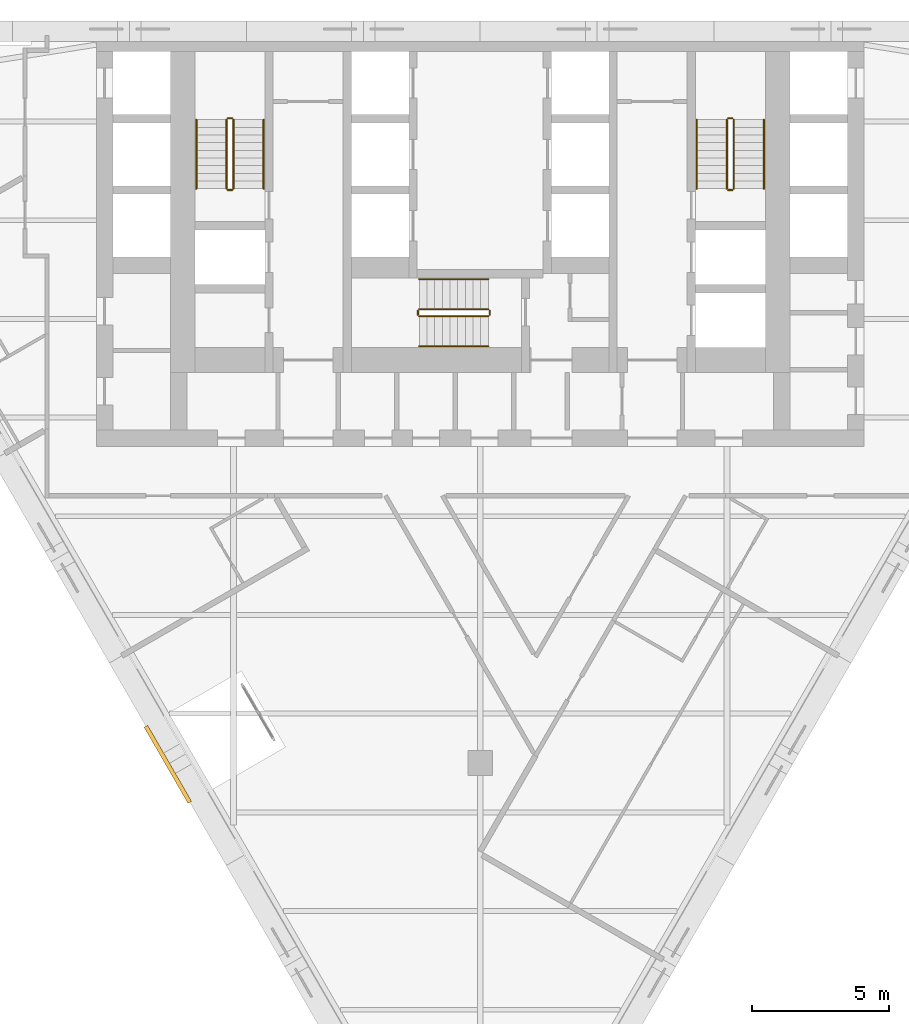
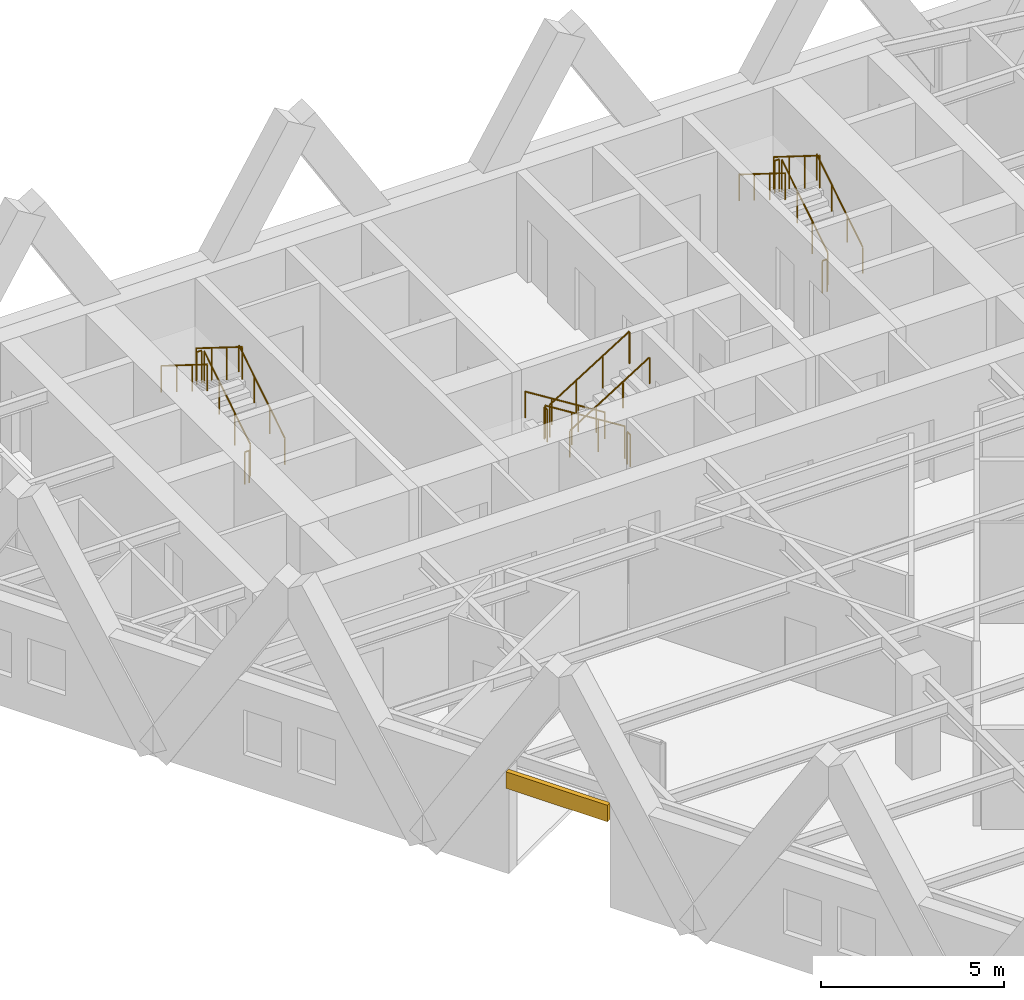
# One storey, part 12 of 12: 18 railings, 1 covering.
"""IFC4 building model written with IfcOpenShell, lengths in metres."""

from ifc_helpers import new_model, si_unit, direction, frame, origin, origin_2d, place, context, subcontext, project, spatial, polyline, circle, outline, extrude, material, layer, layer_set, type_object, element, save


model = new_model("IFC4")

# Units and contexts
model_context = context("Model", 3, precision=1e-05, world=origin(), true_north=direction((0.0, 1.0)))
body_context = subcontext(model_context, "Body", "Model", "MODEL_VIEW")
ifc_project = project(units=[si_unit("LENGTHUNIT", "METRE"), si_unit("AREAUNIT", "SQUARE_METRE"), si_unit("VOLUMEUNIT", "CUBIC_METRE"), si_unit("PLANEANGLEUNIT", "RADIAN"), si_unit("MASSUNIT", "GRAM", prefix="KILO")], contexts=[model_context])

# Site, building, storey
site_placement = place(None, origin())
site = spatial("IfcSite", under=ifc_project, at=site_placement, CompositionType="ELEMENT")
building_placement = place(site_placement, origin())
building = spatial("IfcBuilding", under=site, at=building_placement, Name="Aloe Facet Convention Tower", CompositionType="ELEMENT")
storey_placement = place(building_placement, frame((0.0, 0.0, 102.800048828125)))
storey = spatial("IfcBuildingStorey", under=building, at=storey_placement, Name="L25", CompositionType="ELEMENT", Elevation=102.800048828125)

# Railings
ifc_material_1 = material(Name="Steel S355 balustrade", Category="steel")
railing_type_1 = type_object("IfcRailingType", Name="CR-RL-GUARD", PredefinedType="GUARDRAIL", material=ifc_material_1)
railing_1_placement = place(storey_placement, frame((71.0, 128.949951171875, 0.175048828125)))
element("IfcRailing", 1, at=railing_1_placement, inside=storey, type_object=railing_type_1, Name="L25 ST1 stair guard 1", PredefinedType="GUARDRAIL", context=body_context, shape_type="SweptSolid", body=[
    extrude(circle(Radius=0.02392578125, at=origin_2d()), frame((0.0, 0.0, 1.076171875), z_axis=(0.0, 0.848007534815, 0.529984170421), x_axis=(-1.0, 0.0, 0.0)), (0.0, 0.0, 1.0), 2.9716796875),
    extrude(circle(Radius=0.02099609375, at=origin_2d()), origin(), (0.0, 0.0, 1.0), 1.052001953125),
    extrude(circle(Radius=0.02099609375, at=origin_2d()), frame((0.0, 0.840087890625, 0.52490234375)), (0.0, 0.0, 1.0), 1.052001953125),
    extrude(circle(Radius=0.02099609375, at=origin_2d()), frame((0.0, 1.679931640625, 1.050048828125)), (0.0, 0.0, 1.0), 1.052001953125),
    extrude(circle(Radius=0.02099609375, at=origin_2d()), frame((0.0, 2.52001953125, 1.574951171875)), (0.0, 0.0, 1.0), 1.052001953125),
])
railing_2_placement = place(storey_placement, frame((70.949951171875, 131.52001953125, 1.75)))
element("IfcRailing", 2, at=railing_2_placement, inside=storey, type_object=railing_type_1, Name="L25 ST1 stair guard 2", PredefinedType="GUARDRAIL", context=body_context, shape_type="SweptSolid", body=[
    extrude(circle(Radius=0.02392578125, at=origin_2d()), frame((0.0, 0.0, 1.076171875), z_axis=(-1.0, 0.0, 0.0), x_axis=(0.0, -1.0, 0.0)), (0.0, 0.0, 1.0), 0.14990234375),
    extrude(circle(Radius=0.02099609375, at=origin_2d()), origin(), (0.0, 0.0, 1.0), 1.052001953125),
    extrude(circle(Radius=0.02099609375, at=origin_2d()), frame((-0.14990234375, 0.0, 0.0)), (0.0, 0.0, 1.0), 1.052001953125),
])
railing_3_placement = place(storey_placement, frame((70.75, 131.469970703125, 1.925048828125)))
element("IfcRailing", 3, at=railing_3_placement, inside=storey, type_object=railing_type_1, Name="L25 ST1 stair guard 3", PredefinedType="GUARDRAIL", context=body_context, shape_type="SweptSolid", body=[
    extrude(circle(Radius=0.02392578125, at=origin_2d()), frame((0.0, 0.0, 1.076171875), z_axis=(0.0, -0.848007534815, 0.529984170421), x_axis=(1.0, 0.0, 0.0)), (0.0, 0.0, 1.0), 2.9716796875),
    extrude(circle(Radius=0.02099609375, at=origin_2d()), origin(), (0.0, 0.0, 1.0), 1.052001953125),
    extrude(circle(Radius=0.02099609375, at=origin_2d()), frame((0.0, -0.840087890625, 0.52490234375)), (0.0, 0.0, 1.0), 1.052001953125),
    extrude(circle(Radius=0.02099609375, at=origin_2d()), frame((0.0, -1.679931640625, 1.050048828125)), (0.0, 0.0, 1.0), 1.052001953125),
    extrude(circle(Radius=0.02099609375, at=origin_2d()), frame((0.0, -2.52001953125, 1.574951171875)), (0.0, 0.0, 1.0), 1.052001953125),
])
railing_4_placement = place(storey_placement, frame((70.949951171875, 128.89990234375, 0.0)))
element("IfcRailing", 4, at=railing_4_placement, inside=storey, type_object=railing_type_1, Name="L25 ST1 stair guard 4", PredefinedType="GUARDRAIL", context=body_context, shape_type="SweptSolid", body=[
    extrude(circle(Radius=0.02392578125, at=origin_2d()), frame((0.0, 0.0, 1.076171875), z_axis=(-1.0, 0.0, 0.0), x_axis=(0.0, -1.0, 0.0)), (0.0, 0.0, 1.0), 0.14990234375),
    extrude(circle(Radius=0.02099609375, at=origin_2d()), origin(), (0.0, 0.0, 1.0), 1.052001953125),
    extrude(circle(Radius=0.02099609375, at=origin_2d()), frame((-0.14990234375, 0.0, 0.0)), (0.0, 0.0, 1.0), 1.052001953125),
])
railing_5_placement = place(storey_placement, frame((89.25, 128.949951171875, 0.175048828125)))
element("IfcRailing", 5, at=railing_5_placement, inside=storey, type_object=railing_type_1, Name="L25 ST2 stair guard 1", PredefinedType="GUARDRAIL", context=body_context, shape_type="SweptSolid", body=[
    extrude(circle(Radius=0.02392578125, at=origin_2d()), frame((0.0, 0.0, 1.076171875), z_axis=(0.0, 0.848007534815, 0.529984170421), x_axis=(-1.0, 0.0, 0.0)), (0.0, 0.0, 1.0), 2.9716796875),
    extrude(circle(Radius=0.02099609375, at=origin_2d()), origin(), (0.0, 0.0, 1.0), 1.052001953125),
    extrude(circle(Radius=0.02099609375, at=origin_2d()), frame((0.0, 0.840087890625, 0.52490234375)), (0.0, 0.0, 1.0), 1.052001953125),
    extrude(circle(Radius=0.02099609375, at=origin_2d()), frame((0.0, 1.679931640625, 1.050048828125)), (0.0, 0.0, 1.0), 1.052001953125),
    extrude(circle(Radius=0.02099609375, at=origin_2d()), frame((0.0, 2.52001953125, 1.574951171875)), (0.0, 0.0, 1.0), 1.052001953125),
])
railing_6_placement = place(storey_placement, frame((89.199951171875, 131.52001953125, 1.75)))
element("IfcRailing", 6, at=railing_6_placement, inside=storey, type_object=railing_type_1, Name="L25 ST2 stair guard 2", PredefinedType="GUARDRAIL", context=body_context, shape_type="SweptSolid", body=[
    extrude(circle(Radius=0.02392578125, at=origin_2d()), frame((0.0, 0.0, 1.076171875), z_axis=(-1.0, 0.0, 0.0), x_axis=(0.0, -1.0, 0.0)), (0.0, 0.0, 1.0), 0.14990234375),
    extrude(circle(Radius=0.02099609375, at=origin_2d()), origin(), (0.0, 0.0, 1.0), 1.052001953125),
    extrude(circle(Radius=0.02099609375, at=origin_2d()), frame((-0.14990234375, 0.0, 0.0)), (0.0, 0.0, 1.0), 1.052001953125),
])
railing_7_placement = place(storey_placement, frame((89.0, 131.469970703125, 1.925048828125)))
element("IfcRailing", 7, at=railing_7_placement, inside=storey, type_object=railing_type_1, Name="L25 ST2 stair guard 3", PredefinedType="GUARDRAIL", context=body_context, shape_type="SweptSolid", body=[
    extrude(circle(Radius=0.02392578125, at=origin_2d()), frame((0.0, 0.0, 1.076171875), z_axis=(0.0, -0.848007534815, 0.529984170421), x_axis=(1.0, 0.0, 0.0)), (0.0, 0.0, 1.0), 2.9716796875),
    extrude(circle(Radius=0.02099609375, at=origin_2d()), origin(), (0.0, 0.0, 1.0), 1.052001953125),
    extrude(circle(Radius=0.02099609375, at=origin_2d()), frame((0.0, -0.840087890625, 0.52490234375)), (0.0, 0.0, 1.0), 1.052001953125),
    extrude(circle(Radius=0.02099609375, at=origin_2d()), frame((0.0, -1.679931640625, 1.050048828125)), (0.0, 0.0, 1.0), 1.052001953125),
    extrude(circle(Radius=0.02099609375, at=origin_2d()), frame((0.0, -2.52001953125, 1.574951171875)), (0.0, 0.0, 1.0), 1.052001953125),
])
railing_8_placement = place(storey_placement, frame((89.199951171875, 128.89990234375, 0.0)))
element("IfcRailing", 8, at=railing_8_placement, inside=storey, type_object=railing_type_1, Name="L25 ST2 stair guard 4", PredefinedType="GUARDRAIL", context=body_context, shape_type="SweptSolid", body=[
    extrude(circle(Radius=0.02392578125, at=origin_2d()), frame((0.0, 0.0, 1.076171875), z_axis=(-1.0, 0.0, 0.0), x_axis=(0.0, -1.0, 0.0)), (0.0, 0.0, 1.0), 0.14990234375),
    extrude(circle(Radius=0.02099609375, at=origin_2d()), origin(), (0.0, 0.0, 1.0), 1.052001953125),
    extrude(circle(Radius=0.02099609375, at=origin_2d()), frame((-0.14990234375, 0.0, 0.0)), (0.0, 0.0, 1.0), 1.052001953125),
])
railing_9_placement = place(storey_placement, frame((80.300048828125, 124.550048828125, 0.175048828125)))
element("IfcRailing", 9, at=railing_9_placement, inside=storey, type_object=railing_type_1, Name="L25 ST3 stair guard 1", PredefinedType="GUARDRAIL", context=body_context, shape_type="SweptSolid", body=[
    extrude(circle(Radius=0.02392578125, at=origin_2d()), frame((0.0, 0.0, 1.076171875), z_axis=(-0.848007534815, 0.0, 0.529984170421), x_axis=(0.0, -1.0, 0.0)), (0.0, 0.0, 1.0), 2.9716796875),
    extrude(circle(Radius=0.02099609375, at=origin_2d()), origin(), (0.0, 0.0, 1.0), 1.052001953125),
    extrude(circle(Radius=0.02099609375, at=origin_2d()), frame((-0.840087890625, 0.0, 0.52490234375)), (0.0, 0.0, 1.0), 1.052001953125),
    extrude(circle(Radius=0.02099609375, at=origin_2d()), frame((-1.679931640625, 0.0, 1.050048828125)), (0.0, 0.0, 1.0), 1.052001953125),
    extrude(circle(Radius=0.02099609375, at=origin_2d()), frame((-2.52001953125, 0.0, 1.574951171875)), (0.0, 0.0, 1.0), 1.052001953125),
])
railing_10_placement = place(storey_placement, frame((77.72998046875, 124.5, 1.75)))
element("IfcRailing", 10, at=railing_10_placement, inside=storey, type_object=railing_type_1, Name="L25 ST3 stair guard 2", PredefinedType="GUARDRAIL", context=body_context, shape_type="SweptSolid", body=[
    extrude(circle(Radius=0.02392578125, at=origin_2d()), frame((0.0, 0.0, 1.076171875), z_axis=(0.0, -1.0, 0.0), x_axis=(1.0, 0.0, 0.0)), (0.0, 0.0, 1.0), 0.14990234375),
    extrude(circle(Radius=0.02099609375, at=origin_2d()), origin(), (0.0, 0.0, 1.0), 1.052001953125),
    extrude(circle(Radius=0.02099609375, at=origin_2d()), frame((0.0, -0.14990234375, 0.0)), (0.0, 0.0, 1.0), 1.052001953125),
])
railing_11_placement = place(storey_placement, frame((77.780029296875, 124.300048828125, 1.925048828125)))
element("IfcRailing", 11, at=railing_11_placement, inside=storey, type_object=railing_type_1, Name="L25 ST3 stair guard 3", PredefinedType="GUARDRAIL", context=body_context, shape_type="SweptSolid", body=[
    extrude(circle(Radius=0.02392578125, at=origin_2d()), frame((0.0, 0.0, 1.076171875), z_axis=(0.848007534815, 0.0, 0.529984170421), x_axis=(0.0, 1.0, 0.0)), (0.0, 0.0, 1.0), 2.9716796875),
    extrude(circle(Radius=0.02099609375, at=origin_2d()), origin(), (0.0, 0.0, 1.0), 1.052001953125),
    extrude(circle(Radius=0.02099609375, at=origin_2d()), frame((0.840087890625, 0.0, 0.52490234375)), (0.0, 0.0, 1.0), 1.052001953125),
    extrude(circle(Radius=0.02099609375, at=origin_2d()), frame((1.679931640625, 0.0, 1.050048828125)), (0.0, 0.0, 1.0), 1.052001953125),
    extrude(circle(Radius=0.02099609375, at=origin_2d()), frame((2.52001953125, 0.0, 1.574951171875)), (0.0, 0.0, 1.0), 1.052001953125),
])
railing_12_placement = place(storey_placement, frame((80.35009765625, 124.5, 0.0)))
element("IfcRailing", 12, at=railing_12_placement, inside=storey, type_object=railing_type_1, Name="L25 ST3 stair guard 4", PredefinedType="GUARDRAIL", context=body_context, shape_type="SweptSolid", body=[
    extrude(circle(Radius=0.02392578125, at=origin_2d()), frame((0.0, 0.0, 1.076171875), z_axis=(0.0, -1.0, 0.0), x_axis=(1.0, 0.0, 0.0)), (0.0, 0.0, 1.0), 0.14990234375),
    extrude(circle(Radius=0.02099609375, at=origin_2d()), origin(), (0.0, 0.0, 1.0), 1.052001953125),
    extrude(circle(Radius=0.02099609375, at=origin_2d()), frame((0.0, -0.14990234375, 0.0)), (0.0, 0.0, 1.0), 1.052001953125),
])
ifc_material_2 = material(Name="Steel S355 handrail", Category="steel")
railing_type_2 = type_object("IfcRailingType", Name="CR-RL-HAND", PredefinedType="HANDRAIL", material=ifc_material_2)
railing_13_placement = place(storey_placement, frame((72.10009765625, 128.949951171875, 0.175048828125)))
element("IfcRailing", 13, at=railing_13_placement, inside=storey, type_object=railing_type_2, Name="L25 ST1 stair handrail 1", PredefinedType="HANDRAIL", context=body_context, shape_type="SweptSolid", body=[
    extrude(circle(Radius=0.02392578125, at=origin_2d()), frame((0.0, 0.0, 0.8759765625), z_axis=(0.0, 0.848007534815, 0.529984170421), x_axis=(-1.0, 0.0, 0.0)), (0.0, 0.0, 1.0), 2.9716796875),
    extrude(circle(Radius=0.02099609375, at=origin_2d()), origin(), (0.0, 0.0, 1.0), 0.851806640625),
    extrude(circle(Radius=0.02099609375, at=origin_2d()), frame((0.0, 0.840087890625, 0.52490234375)), (0.0, 0.0, 1.0), 0.851806640625),
    extrude(circle(Radius=0.02099609375, at=origin_2d()), frame((0.0, 1.679931640625, 1.050048828125)), (0.0, 0.0, 1.0), 0.851806640625),
    extrude(circle(Radius=0.02099609375, at=origin_2d()), frame((0.0, 2.52001953125, 1.574951171875)), (0.0, 0.0, 1.0), 0.851806640625),
])
railing_14_placement = place(storey_placement, frame((69.64990234375, 131.469970703125, 1.925048828125)))
element("IfcRailing", 14, at=railing_14_placement, inside=storey, type_object=railing_type_2, Name="L25 ST1 stair handrail 2", PredefinedType="HANDRAIL", context=body_context, shape_type="SweptSolid", body=[
    extrude(circle(Radius=0.02392578125, at=origin_2d()), frame((0.0, 0.0, 0.8759765625), z_axis=(0.0, -0.848007534815, 0.529984170421), x_axis=(1.0, 0.0, 0.0)), (0.0, 0.0, 1.0), 2.9716796875),
    extrude(circle(Radius=0.02099609375, at=origin_2d()), origin(), (0.0, 0.0, 1.0), 0.851806640625),
    extrude(circle(Radius=0.02099609375, at=origin_2d()), frame((0.0, -0.840087890625, 0.52490234375)), (0.0, 0.0, 1.0), 0.851806640625),
    extrude(circle(Radius=0.02099609375, at=origin_2d()), frame((0.0, -1.679931640625, 1.050048828125)), (0.0, 0.0, 1.0), 0.851806640625),
    extrude(circle(Radius=0.02099609375, at=origin_2d()), frame((0.0, -2.52001953125, 1.574951171875)), (0.0, 0.0, 1.0), 0.851806640625),
])
railing_15_placement = place(storey_placement, frame((90.35009765625, 128.949951171875, 0.175048828125)))
element("IfcRailing", 15, at=railing_15_placement, inside=storey, type_object=railing_type_2, Name="L25 ST2 stair handrail 1", PredefinedType="HANDRAIL", context=body_context, shape_type="SweptSolid", body=[
    extrude(circle(Radius=0.02392578125, at=origin_2d()), frame((0.0, 0.0, 0.8759765625), z_axis=(0.0, 0.848007534815, 0.529984170421), x_axis=(-1.0, 0.0, 0.0)), (0.0, 0.0, 1.0), 2.9716796875),
    extrude(circle(Radius=0.02099609375, at=origin_2d()), origin(), (0.0, 0.0, 1.0), 0.851806640625),
    extrude(circle(Radius=0.02099609375, at=origin_2d()), frame((0.0, 0.840087890625, 0.52490234375)), (0.0, 0.0, 1.0), 0.851806640625),
    extrude(circle(Radius=0.02099609375, at=origin_2d()), frame((0.0, 1.679931640625, 1.050048828125)), (0.0, 0.0, 1.0), 0.851806640625),
    extrude(circle(Radius=0.02099609375, at=origin_2d()), frame((0.0, 2.52001953125, 1.574951171875)), (0.0, 0.0, 1.0), 0.851806640625),
])
railing_16_placement = place(storey_placement, frame((87.89990234375, 131.469970703125, 1.925048828125)))
element("IfcRailing", 16, at=railing_16_placement, inside=storey, type_object=railing_type_2, Name="L25 ST2 stair handrail 2", PredefinedType="HANDRAIL", context=body_context, shape_type="SweptSolid", body=[
    extrude(circle(Radius=0.02392578125, at=origin_2d()), frame((0.0, 0.0, 0.8759765625), z_axis=(0.0, -0.848007534815, 0.529984170421), x_axis=(1.0, 0.0, 0.0)), (0.0, 0.0, 1.0), 2.9716796875),
    extrude(circle(Radius=0.02099609375, at=origin_2d()), origin(), (0.0, 0.0, 1.0), 0.851806640625),
    extrude(circle(Radius=0.02099609375, at=origin_2d()), frame((0.0, -0.840087890625, 0.52490234375)), (0.0, 0.0, 1.0), 0.851806640625),
    extrude(circle(Radius=0.02099609375, at=origin_2d()), frame((0.0, -1.679931640625, 1.050048828125)), (0.0, 0.0, 1.0), 0.851806640625),
    extrude(circle(Radius=0.02099609375, at=origin_2d()), frame((0.0, -2.52001953125, 1.574951171875)), (0.0, 0.0, 1.0), 0.851806640625),
])
railing_17_placement = place(storey_placement, frame((80.300048828125, 125.64990234375, 0.175048828125)))
element("IfcRailing", 17, at=railing_17_placement, inside=storey, type_object=railing_type_2, Name="L25 ST3 stair handrail 1", PredefinedType="HANDRAIL", context=body_context, shape_type="SweptSolid", body=[
    extrude(circle(Radius=0.02392578125, at=origin_2d()), frame((0.0, 0.0, 0.8759765625), z_axis=(-0.848007534815, 0.0, 0.529984170421), x_axis=(0.0, -1.0, 0.0)), (0.0, 0.0, 1.0), 2.9716796875),
    extrude(circle(Radius=0.02099609375, at=origin_2d()), origin(), (0.0, 0.0, 1.0), 0.851806640625),
    extrude(circle(Radius=0.02099609375, at=origin_2d()), frame((-0.840087890625, 0.0, 0.52490234375)), (0.0, 0.0, 1.0), 0.851806640625),
    extrude(circle(Radius=0.02099609375, at=origin_2d()), frame((-1.679931640625, 0.0, 1.050048828125)), (0.0, 0.0, 1.0), 0.851806640625),
    extrude(circle(Radius=0.02099609375, at=origin_2d()), frame((-2.52001953125, 0.0, 1.574951171875)), (0.0, 0.0, 1.0), 0.851806640625),
])
railing_18_placement = place(storey_placement, frame((77.780029296875, 123.199951171875, 1.925048828125)))
element("IfcRailing", 18, at=railing_18_placement, inside=storey, type_object=railing_type_2, Name="L25 ST3 stair handrail 2", PredefinedType="HANDRAIL", context=body_context, shape_type="SweptSolid", body=[
    extrude(circle(Radius=0.02392578125, at=origin_2d()), frame((0.0, 0.0, 0.8759765625), z_axis=(0.848007534815, 0.0, 0.529984170421), x_axis=(0.0, 1.0, 0.0)), (0.0, 0.0, 1.0), 2.9716796875),
    extrude(circle(Radius=0.02099609375, at=origin_2d()), origin(), (0.0, 0.0, 1.0), 0.851806640625),
    extrude(circle(Radius=0.02099609375, at=origin_2d()), frame((0.840087890625, 0.0, 0.52490234375)), (0.0, 0.0, 1.0), 0.851806640625),
    extrude(circle(Radius=0.02099609375, at=origin_2d()), frame((1.679931640625, 0.0, 1.050048828125)), (0.0, 0.0, 1.0), 0.851806640625),
    extrude(circle(Radius=0.02099609375, at=origin_2d()), frame((2.52001953125, 0.0, 1.574951171875)), (0.0, 0.0, 1.0), 0.851806640625),
])

# Covering
ifc_material_3 = material(Name="Bronze oxide fascia sheet")
ifc_layer = layer(ifc_material_3, 0.14990234375)
ifc_layer_set = layer_set([ifc_layer], Name="EV-FASCIA-TERR")
covering_type = type_object("IfcCoveringType", Name="EV-FASCIA-TERR", PredefinedType="CLADDING", material=ifc_layer_set)
covering_placement = place(storey_placement, frame((0.0, 0.0, 2.800048828125)))
element("IfcCovering", 19, at=covering_placement, inside=storey, type_object=covering_type, Name="Terrace fascia T05 head", PredefinedType="CLADDING", context=body_context, shape_type="SweptSolid", body=[
    extrude(outline(polyline([(67.741455078125, 109.302978515625), (69.341552734375, 106.53173828125), (69.471435546875, 106.606689453125), (67.871337890625, 109.3779296875), (67.741455078125, 109.302978515625)])), origin(), (0.0, 0.0, 1.0), 0.5498046875),
])

save(model, "model.ifc")
